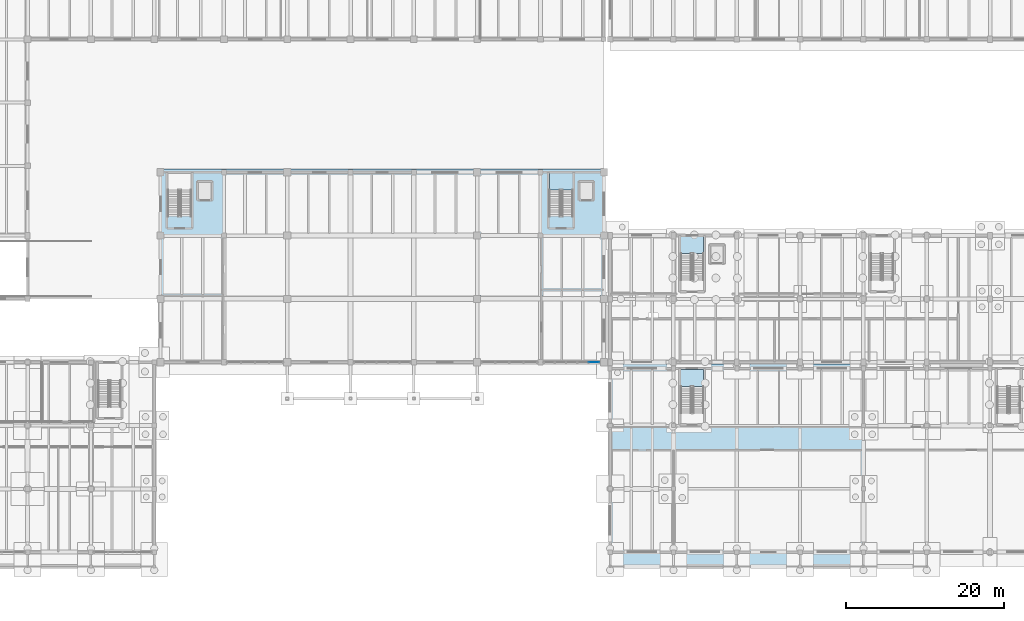
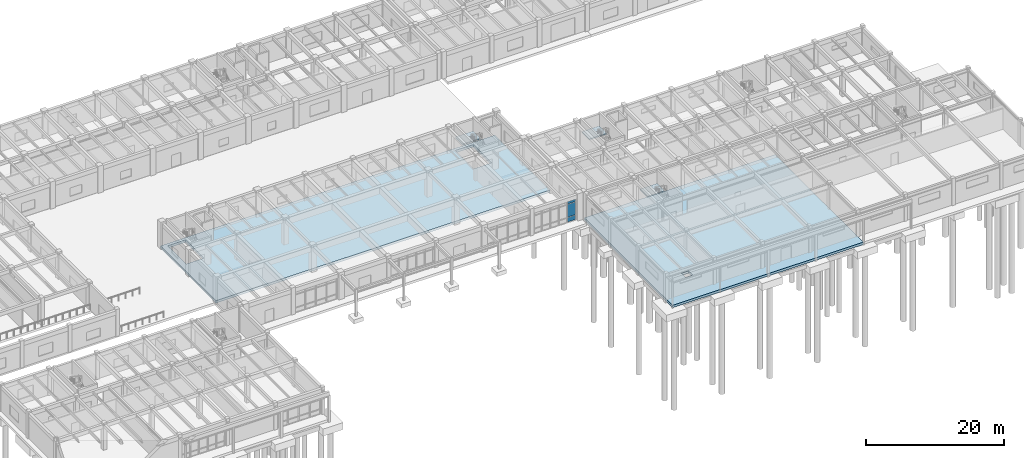
# One storey, part 29 of 64: 5 slabs, 3 plates, 4 elements without a shape of their own.
"""IFC4 building model written with IfcOpenShell, lengths in metres."""

from ifc_helpers import new_model, si_unit, direction, frame, origin, origin_2d, place, context, subcontext, project, spatial, polyline, rectangle, outline, extrude, material, layer, layer_set, type_object, element, aggregate, save


model = new_model("IFC4")

# Units and contexts
model_context = context("Model", 3, precision=1e-05, world=origin(), true_north=direction((0.0, 1.0)))
body_context = subcontext(model_context, "Body", "Model", "MODEL_VIEW")
ifc_project = project(units=[si_unit("LENGTHUNIT", "METRE"), si_unit("AREAUNIT", "SQUARE_METRE"), si_unit("VOLUMEUNIT", "CUBIC_METRE"), si_unit("PLANEANGLEUNIT", "RADIAN"), si_unit("MASSUNIT", "GRAM", prefix="KILO")], contexts=[model_context])

# Site, building, storey
site_placement = place(None, origin())
site = spatial("IfcSite", under=ifc_project, at=site_placement, CompositionType="ELEMENT")
building_placement = place(site_placement, origin())
building = spatial("IfcBuilding", under=site, at=building_placement, Name="Tlaxcora Railside Police Headquarters", CompositionType="ELEMENT")
storey_placement = place(building_placement, origin())
storey = spatial("IfcBuildingStorey", under=building, at=storey_placement, Name="L00", CompositionType="ELEMENT", Elevation=0.0)

# Slab
ifc_material_1 = material(Name="Concrete C35/45", Category="concrete")
ifc_layer_1 = layer(ifc_material_1, 0.419921875, Name="Concrete C35/45")
ifc_layer_set_1 = layer_set([ifc_layer_1], Name="Concrete C35/45")
slab_type_1 = type_object("IfcSlabType", Name="Basement Base Slab SL-65", PredefinedType="BASESLAB", material=ifc_layer_set_1)
slab_1_placement = place(storey_placement, frame((0.0, 0.0, -0.419921875)))
element("IfcSlab", 1, at=slab_1_placement, inside=storey, type_object=slab_type_1, Name="L00 Gymnasium structural mat", PredefinedType="BASESLAB", context=body_context, shape_type="SweptSolid", body=[
    extrude(outline(polyline([(134.800048828125, 10.199951171875), (134.800048828125, 35.800048828125), (102.800048828125, 35.800048828125), (102.800048828125, 10.199951171875), (134.800048828125, 10.199951171875)]), holes=[polyline([(109.199951171875, 15.39990234375), (108.0, 15.39990234375), (108.0, 16.60009765625), (109.199951171875, 16.60009765625), (109.199951171875, 15.39990234375)])]), origin(), (0.0, 0.0, 1.0), 0.419921875),
])

# Curtain wall, plates
ifc_material_2 = material(Name="Thermally broken low-E insulated glazing", Category="glass")
curtain_wall_type = type_object("IfcCurtainWallType", Name="Unitised Curtain Wall Assembly CW-23", PredefinedType="NOTDEFINED", material=ifc_material_2)
curtain_wall_placement = place(storey_placement, origin())
curtain_wall = element("IfcCurtainWall", 2, at=curtain_wall_placement, inside=storey, type_object=curtain_wall_type, Name="V1 L00 curtain wall 4", PredefinedType="NOTDEFINED")
ifc_layer_2 = layer(ifc_material_2, 0.0400390625, Name="Thermally broken low-E insulated glazing")
ifc_layer_set_2 = layer_set([ifc_layer_2], Name="Thermally broken low-E insulated glazing")
plate_type = type_object("IfcPlateType", Name="Curtain Wall Infill Panel CW-17", PredefinedType="CURTAIN_PANEL", material=ifc_layer_set_2)
plate_1_placement = place(storey_placement, frame((100.767578125, 36.0, 0.080078125), z_axis=(0.0, 0.0, 1.0), x_axis=(1.0, 0.0, 0.0)))
plate_1 = element("IfcPlate", 3, at=plate_1_placement, type_object=plate_type, Name="CW panel 5.1", PredefinedType="CURTAIN_PANEL", context=body_context, shape_type="SweptSolid", body=[
    extrude(rectangle(XDim=1.304931640625, YDim=0.0400390625, at=origin_2d()), origin(), (0.0, 0.0, 1.0), 0.780029296875),
])
plate_2_placement = place(storey_placement, frame((100.767578125, 36.0, 0.93994140625), z_axis=(0.0, 0.0, 1.0), x_axis=(1.0, 0.0, 0.0)))
plate_2 = element("IfcPlate", 4, at=plate_2_placement, type_object=plate_type, Name="CW panel 5.2", PredefinedType="CURTAIN_PANEL", context=body_context, shape_type="SweptSolid", body=[
    extrude(rectangle(XDim=1.304931640625, YDim=0.0400390625, at=origin_2d()), origin(), (0.0, 0.0, 1.0), 2.25),
])
plate_3_placement = place(storey_placement, frame((100.767578125, 36.0, 3.27001953125), z_axis=(0.0, 0.0, 1.0), x_axis=(1.0, 0.0, 0.0)))
plate_3 = element("IfcPlate", 5, at=plate_3_placement, type_object=plate_type, Name="CW panel 5.3", PredefinedType="CURTAIN_PANEL", context=body_context, shape_type="SweptSolid", body=[
    extrude(rectangle(XDim=1.304931640625, YDim=0.0400390625, at=origin_2d()), origin(), (0.0, 0.0, 1.0), 0.409912109375),
])
aggregate(curtain_wall, [plate_1, plate_2, plate_3])

# Stair, slab
ifc_material_3 = material(Name="Concrete C40/50", Category="concrete")
stair_type_1 = type_object("IfcStairType", Name="Half-Turn Dog-Leg Stair ST-67", PredefinedType="HALF_TURN_STAIR", material=ifc_material_3)
stair_1_placement = place(storey_placement, origin())
stair_1 = element("IfcStair", 6, at=stair_1_placement, inside=storey, type_object=stair_type_1, Name="L00 ST9", PredefinedType="HALF_TURN_STAIR")
ifc_layer_3 = layer(ifc_material_1, 0.199951171875, Name="Concrete C35/45")
ifc_layer_set_3 = layer_set([ifc_layer_3], Name="Concrete C35/45")
slab_type_2 = type_object("IfcSlabType", Name="Stair Landing Slab SL-23", PredefinedType="LANDING", material=ifc_layer_set_3)
slab_2_placement = place(storey_placement, frame((0.0, 0.0, 2.199951171875)))
slab_2 = element("IfcSlab", 7, at=slab_2_placement, type_object=slab_type_2, Name="ST9 landing 1", PredefinedType="LANDING", context=body_context, shape_type="SweptSolid", body=[
    extrude(outline(polyline([(98.110107421875, 57.77001953125), (98.110107421875, 59.889892578125), (95.110107421875, 59.889892578125), (95.110107421875, 57.77001953125), (98.110107421875, 57.77001953125)])), origin(), (0.0, 0.0, 1.0), 0.199951171875),
])
aggregate(stair_1, [slab_2])

stair_type_2 = type_object("IfcStairType", Name="Half-Turn Dog-Leg Stair ST-42", PredefinedType="HALF_TURN_STAIR", material=ifc_material_3)
stair_2_placement = place(storey_placement, origin())
stair_2 = element("IfcStair", 8, at=stair_2_placement, inside=storey, type_object=stair_type_2, Name="L00 ST5", PredefinedType="HALF_TURN_STAIR")
slab_3_placement = place(storey_placement, frame((0.0, 0.0, 2.199951171875)))
slab_3 = element("IfcSlab", 9, at=slab_3_placement, type_object=slab_type_2, Name="ST5 landing 1", PredefinedType="LANDING", context=body_context, shape_type="SweptSolid", body=[
    extrude(outline(polyline([(114.610107421875, 49.719970703125), (114.610107421875, 51.889892578125), (111.7099609375, 51.889892578125), (111.7099609375, 49.719970703125), (114.610107421875, 49.719970703125)])), origin(), (0.0, 0.0, 1.0), 0.199951171875),
])
aggregate(stair_2, [slab_3])

stair_3_placement = place(storey_placement, origin())
stair_3 = element("IfcStair", 10, at=stair_3_placement, inside=storey, type_object=stair_type_2, Name="L00 ST7", PredefinedType="HALF_TURN_STAIR")
slab_4_placement = place(storey_placement, frame((0.0, 0.0, 2.199951171875)))
slab_4 = element("IfcSlab", 11, at=slab_4_placement, type_object=slab_type_2, Name="ST7 landing 1", PredefinedType="LANDING", context=body_context, shape_type="SweptSolid", body=[
    extrude(outline(polyline([(114.610107421875, 32.919921875), (114.610107421875, 35.090087890625), (111.7099609375, 35.090087890625), (111.7099609375, 32.919921875), (114.610107421875, 32.919921875)])), origin(), (0.0, 0.0, 1.0), 0.199951171875),
])
aggregate(stair_3, [slab_4])

# Slab
ifc_layer_4 = layer(ifc_material_3, 0.419921875, Name="Concrete C40/50")
ifc_layer_set_4 = layer_set([ifc_layer_4], Name="Concrete C40/50")
slab_type_3 = type_object("IfcSlabType", Name="Suspended Floor Slab SL-80", PredefinedType="FLOOR", material=ifc_layer_set_4)
slab_5_placement = place(storey_placement, frame((0.0, 0.0, -0.419921875)))
element("IfcSlab", 12, at=slab_5_placement, inside=storey, type_object=slab_type_3, Name="L00 Public Entrance Hall suspended slab", PredefinedType="FLOOR", context=body_context, shape_type="SweptSolid", body=[
    extrude(outline(polyline([(46.0, 44.35009765625), (102.0, 44.35009765625), (102.0, 60.39990234375), (46.0, 60.39990234375), (46.0, 44.35009765625)]), holes=[polyline([(49.909912109375, 59.889892578125), (49.909912109375, 54.550048828125), (46.909912109375, 54.550048828125), (46.909912109375, 59.889892578125), (49.909912109375, 59.889892578125)]), polyline([(98.110107421875, 54.550048828125), (95.110107421875, 54.550048828125), (95.110107421875, 59.889892578125), (98.110107421875, 59.889892578125), (98.110107421875, 54.550048828125)])]), origin(), (0.0, 0.0, 1.0), 0.419921875),
])

save(model, "model.ifc")
